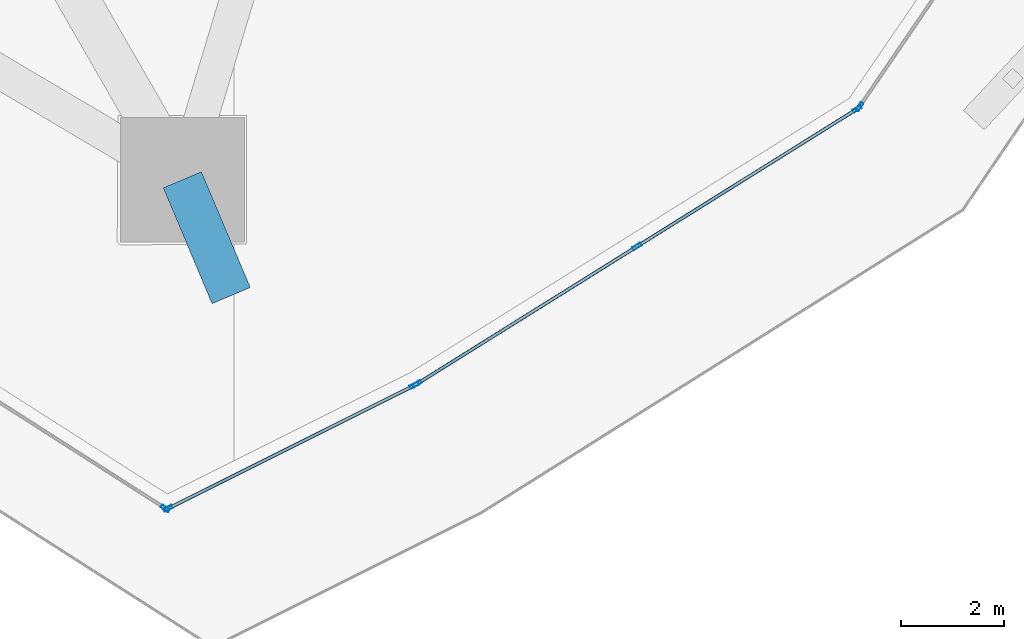
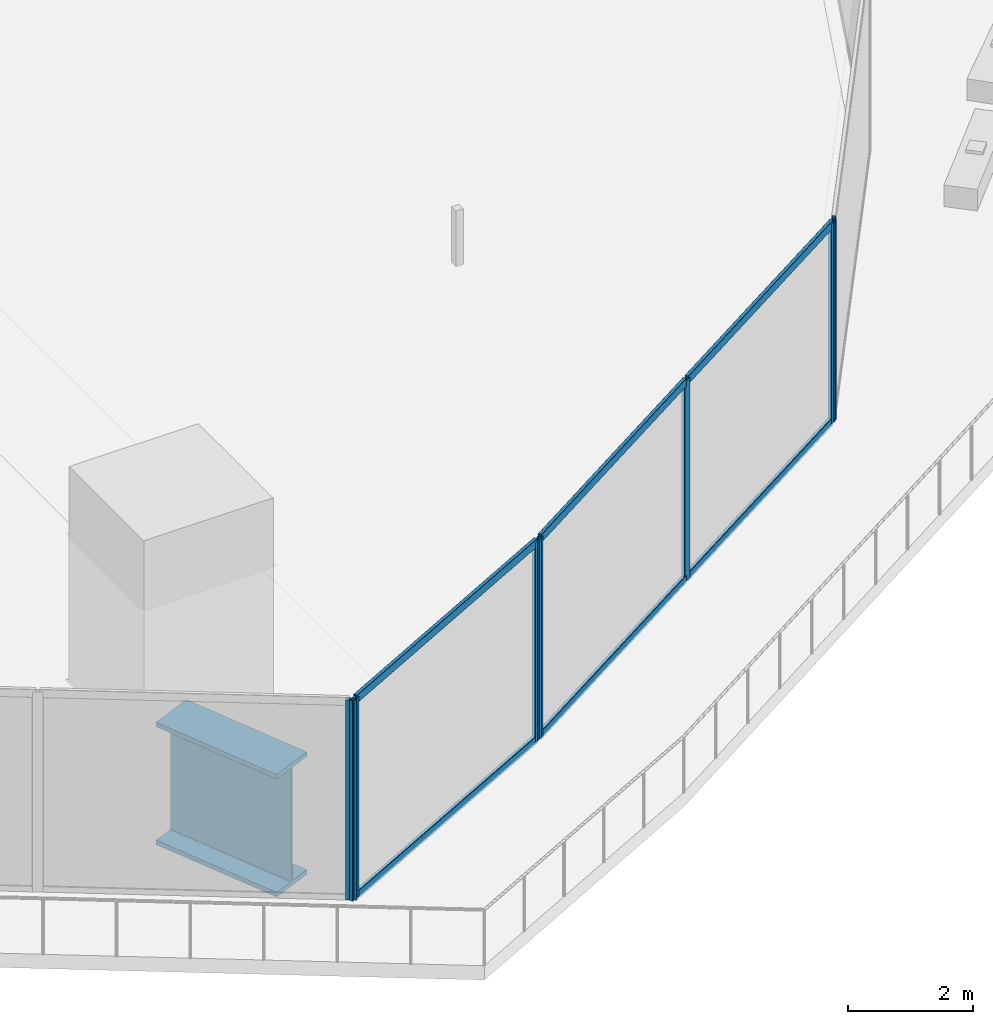
# One storey, part 10 of 42: 13 members, 1 beam, 4 elements without a shape of their own.
"""IFC4 building model written with IfcOpenShell, lengths in metres."""

from ifc_helpers import new_model, si_unit, direction, frame, origin, origin_2d, place, context, subcontext, project, spatial, hollow_rectangle, i_section, extrude, material, layer, layer_set, material_profile, profile_set, type_object, element, aggregate, save


model = new_model("IFC4")

# Units and contexts
model_context = context("Model", 3, precision=1e-05, world=origin(), true_north=direction((0.0, 1.0)))
body_context = subcontext(model_context, "Body", "Model", "MODEL_VIEW")
ifc_project = project(units=[si_unit("LENGTHUNIT", "METRE"), si_unit("AREAUNIT", "SQUARE_METRE"), si_unit("VOLUMEUNIT", "CUBIC_METRE"), si_unit("PLANEANGLEUNIT", "RADIAN"), si_unit("MASSUNIT", "GRAM", prefix="KILO")], contexts=[model_context])

# Site, building, storey
site_placement = place(None, origin())
site = spatial("IfcSite", under=ifc_project, at=site_placement, CompositionType="ELEMENT")
building_placement = place(site_placement, origin())
building = spatial("IfcBuilding", under=site, at=building_placement, Name="Qorvath Tower", CompositionType="ELEMENT")
storey_placement = place(building_placement, frame((0.0, 0.0, 32.39990234375)))
storey = spatial("IfcBuildingStorey", under=building, at=storey_placement, Name="L06", CompositionType="ELEMENT", Elevation=32.39990234375)

# Beam
ifc_material_1 = material(Name="Steel ASTM A572 Grade 50", Category="steel")
ifc_material_profile_1 = material_profile(ifc_material_1, i_section(OverallWidth=0.800048828125, OverallDepth=2.39990234375, WebThickness=0.044921875, FlangeThickness=0.090087890625, FilletRadius=0.02490234375, at=origin_2d()), Name="WTG 2400x800")
ifc_profile_set_1 = profile_set([ifc_material_profile_1], Name="Steel ASTM A572 Grade 50")
beam_type = type_object("IfcBeamType", Name="BM-TG2", PredefinedType="BEAM", material=ifc_profile_set_1)
beam_placement = place(storey_placement, frame((-13.52001953125, -29.568115234375, -1.479736328125), z_axis=(-0.38886585428, 0.921294386923, 0.0), x_axis=(-0.921294386923, -0.38886585428, 0.0)))
element("IfcBeam", 1, at=beam_placement, inside=storey, type_object=beam_type, Name="Zone Step Transfer Tie MC3 L06", PredefinedType="BEAM", context=body_context, shape_type="SweptSolid", body=[
    extrude(i_section(OverallWidth=0.800048828125, OverallDepth=2.39990234375, WebThickness=0.044921875, FlangeThickness=0.090087890625, FilletRadius=0.02490234375, at=origin_2d()), origin(), (0.0, 0.0, 1.0), 2.428466796875),
])

# Curtain wall, member
ifc_material_2 = material(Name="Anodised aluminium and triple low-E glass", Category="aluminium")
ifc_layer = layer(ifc_material_2, 0.179931640625)
ifc_layer_set = layer_set([ifc_layer], Name="CW-SYS-2")
curtain_wall_type = type_object("IfcCurtainWallType", Name="CW-SYS-2", PredefinedType="NOTDEFINED", material=ifc_layer_set)
curtain_wall_1_placement = place(storey_placement, origin())
curtain_wall_1 = element("IfcCurtainWall", 2, at=curtain_wall_1_placement, inside=storey, type_object=curtain_wall_type, Name="Curtain Wall CW-2 CW-T-L06-2.2", PredefinedType="NOTDEFINED")
ifc_material_3 = material(Name="Anodised aluminium 6063-T6", Category="aluminium")
ifc_material_profile_2 = material_profile(ifc_material_3, hollow_rectangle(XDim=0.06494140625, YDim=0.179931640625, WallThickness=0.00341796875, InnerFilletRadius=0.00341796875, OuterFilletRadius=0.007080078125, at=origin_2d()), Name="CWM 180x65")
ifc_profile_set_2 = profile_set([ifc_material_profile_2], Name="Anodised aluminium 6063-T6")
member_type_1 = type_object("IfcMemberType", Name="CWM-180", PredefinedType="MULLION", material=ifc_profile_set_2)
member_1_placement = place(storey_placement, frame((-14.79443359375, -33.68115234375, 0.0), z_axis=(0.0, 0.0, 1.0), x_axis=(0.538532593363, 0.842604679483, 0.0)))
member_1 = element("IfcMember", 3, at=member_1_placement, type_object=member_type_1, Name="CW-2 mullion 7", PredefinedType="MULLION", context=body_context, shape_type="SweptSolid", body=[
    extrude(hollow_rectangle(XDim=0.06494140625, YDim=0.179931640625, WallThickness=0.00341796875, InnerFilletRadius=0.00341796875, OuterFilletRadius=0.007080078125, at=origin_2d()), origin(), (0.0, 0.0, 1.0), 3.920166015625),
])
aggregate(curtain_wall_1, [member_1])

# Curtain wall, members
curtain_wall_2_placement = place(storey_placement, origin())
curtain_wall_2 = element("IfcCurtainWall", 4, at=curtain_wall_2_placement, inside=storey, type_object=curtain_wall_type, Name="Curtain Wall CW-2 CW-T-L06-3.1", PredefinedType="NOTDEFINED")
member_2_placement = place(storey_placement, frame((-14.738037109375, -33.68408203125, 0.0), z_axis=(0.0, 0.0, 1.0), x_axis=(-0.447198732162, 0.894434622514, 0.0)))
member_2 = element("IfcMember", 5, at=member_2_placement, type_object=member_type_1, Name="CW-2 mullion 1", PredefinedType="MULLION", context=body_context, shape_type="SweptSolid", body=[
    extrude(hollow_rectangle(XDim=0.06494140625, YDim=0.179931640625, WallThickness=0.00341796875, InnerFilletRadius=0.00341796875, OuterFilletRadius=0.007080078125, at=origin_2d()), origin(), (0.0, 0.0, 1.0), 3.920166015625),
])
member_3_placement = place(storey_placement, frame((-9.98193359375, -31.30615234375, 0.0), z_axis=(0.0, 0.0, 1.0), x_axis=(-0.447198732162, 0.894434622514, 0.0)))
member_3 = element("IfcMember", 6, at=member_3_placement, type_object=member_type_1, Name="CW-2 mullion 2", PredefinedType="MULLION", context=body_context, shape_type="SweptSolid", body=[
    extrude(hollow_rectangle(XDim=0.06494140625, YDim=0.179931640625, WallThickness=0.00341796875, InnerFilletRadius=0.00341796875, OuterFilletRadius=0.007080078125, at=origin_2d()), origin(), (0.0, 0.0, 1.0), 3.920166015625),
])

curtain_wall_3_placement = place(storey_placement, origin())
curtain_wall_3 = element("IfcCurtainWall", 7, at=curtain_wall_3_placement, inside=storey, type_object=curtain_wall_type, Name="Curtain Wall CW-2 CW-T-L06-4.1", PredefinedType="NOTDEFINED")
member_4_placement = place(storey_placement, frame((-9.92529296875, -31.2744140625, 0.0), z_axis=(0.0, 0.0, 1.0), x_axis=(-0.529769187701, 0.848141855919, 0.0)))
member_4 = element("IfcMember", 8, at=member_4_placement, type_object=member_type_1, Name="CW-2 mullion 1", PredefinedType="MULLION", context=body_context, shape_type="SweptSolid", body=[
    extrude(hollow_rectangle(XDim=0.06494140625, YDim=0.179931640625, WallThickness=0.00341796875, InnerFilletRadius=0.00341796875, OuterFilletRadius=0.007080078125, at=origin_2d()), origin(), (0.0, 0.0, 1.0), 3.920166015625),
])
member_5_placement = place(storey_placement, frame((-5.672119140625, -28.61767578125, 0.0), z_axis=(0.0, 0.0, 1.0), x_axis=(-0.529769187701, 0.848141855919, 0.0)))
member_5 = element("IfcMember", 9, at=member_5_placement, type_object=member_type_1, Name="CW-2 mullion 2", PredefinedType="MULLION", context=body_context, shape_type="SweptSolid", body=[
    extrude(hollow_rectangle(XDim=0.06494140625, YDim=0.179931640625, WallThickness=0.00341796875, InnerFilletRadius=0.00341796875, OuterFilletRadius=0.007080078125, at=origin_2d()), origin(), (0.0, 0.0, 1.0), 3.920166015625),
])
member_6_placement = place(storey_placement, frame((-1.418701171875, -25.9609375, 0.0), z_axis=(0.0, 0.0, 1.0), x_axis=(-0.529769187701, 0.848141855919, 0.0)))
member_6 = element("IfcMember", 10, at=member_6_placement, type_object=member_type_1, Name="CW-2 mullion 3", PredefinedType="MULLION", context=body_context, shape_type="SweptSolid", body=[
    extrude(hollow_rectangle(XDim=0.06494140625, YDim=0.179931640625, WallThickness=0.00341796875, InnerFilletRadius=0.00341796875, OuterFilletRadius=0.007080078125, at=origin_2d()), origin(), (0.0, 0.0, 1.0), 3.920166015625),
])

# Curtain wall, member
curtain_wall_4_placement = place(storey_placement, origin())
curtain_wall_4 = element("IfcCurtainWall", 11, at=curtain_wall_4_placement, inside=storey, type_object=curtain_wall_type, Name="Curtain Wall CW-2 CW-T-L06-5.1", PredefinedType="NOTDEFINED")
member_7_placement = place(storey_placement, frame((-1.372802734375, -25.9169921875, 0.0), z_axis=(0.0, 0.0, 1.0), x_axis=(-0.825864059494, 0.563869271406, 0.0)))
member_7 = element("IfcMember", 12, at=member_7_placement, type_object=member_type_1, Name="CW-2 mullion 1", PredefinedType="MULLION", context=body_context, shape_type="SweptSolid", body=[
    extrude(hollow_rectangle(XDim=0.06494140625, YDim=0.179931640625, WallThickness=0.00341796875, InnerFilletRadius=0.00341796875, OuterFilletRadius=0.007080078125, at=origin_2d()), origin(), (0.0, 0.0, 1.0), 3.920166015625),
])
aggregate(curtain_wall_4, [member_7])

# Member
ifc_material_4 = material(Name="Anodised aluminium 6063-T6", Category="aluminium")
ifc_material_profile_3 = material_profile(ifc_material_4, hollow_rectangle(XDim=0.06494140625, YDim=0.159912109375, WallThickness=0.00341796875, InnerFilletRadius=0.00341796875, OuterFilletRadius=0.007080078125, at=origin_2d()), Name="CWT 160x65")
ifc_profile_set_3 = profile_set([ifc_material_profile_3], Name="Anodised aluminium 6063-T6")
member_type_2 = type_object("IfcMemberType", Name="CWT-160", PredefinedType="USERDEFINED", material=ifc_profile_set_3)
member_8_placement = place(storey_placement, frame((-14.708984375, -33.669677734375, 0.032470703125), z_axis=(0.894436487034, 0.447195002949, 0.0), x_axis=(-0.447195002949, 0.894436487034, 0.0)))
member_8 = element("IfcMember", 13, at=member_8_placement, type_object=member_type_2, Name="CW-2 transom 1.1", ObjectType="TRANSOM", PredefinedType="USERDEFINED", context=body_context, shape_type="SweptSolid", body=[
    extrude(hollow_rectangle(XDim=0.06494140625, YDim=0.159912109375, WallThickness=0.00341796875, InnerFilletRadius=0.00341796875, OuterFilletRadius=0.007080078125, at=origin_2d()), origin(), (0.0, 0.0, 1.0), 5.25244140625),
])

member_9_placement = place(storey_placement, frame((-14.708984375, -33.669677734375, 3.8876953125), z_axis=(0.894436487034, 0.447195002949, 0.0), x_axis=(-0.447195002949, 0.894436487034, 0.0)))
member_9 = element("IfcMember", 14, at=member_9_placement, type_object=member_type_2, Name="CW-2 transom 1.2", ObjectType="TRANSOM", PredefinedType="USERDEFINED", context=body_context, shape_type="SweptSolid", body=[
    extrude(hollow_rectangle(XDim=0.06494140625, YDim=0.159912109375, WallThickness=0.00341796875, InnerFilletRadius=0.00341796875, OuterFilletRadius=0.007080078125, at=origin_2d()), origin(), (0.0, 0.0, 1.0), 5.25244140625),
])

aggregate(curtain_wall_2, [member_2, member_3, member_8, member_9])

member_10_placement = place(storey_placement, frame((-9.897705078125, -31.25732421875, 0.032470703125), z_axis=(0.848142359621, 0.529768381292, 0.0), x_axis=(-0.529768381292, 0.848142359621, 0.0)))
member_10 = element("IfcMember", 15, at=member_10_placement, type_object=member_type_2, Name="CW-2 transom 1.1", ObjectType="TRANSOM", PredefinedType="USERDEFINED", context=body_context, shape_type="SweptSolid", body=[
    extrude(hollow_rectangle(XDim=0.06494140625, YDim=0.159912109375, WallThickness=0.00341796875, InnerFilletRadius=0.00341796875, OuterFilletRadius=0.007080078125, at=origin_2d()), origin(), (0.0, 0.0, 1.0), 4.949951171875),
])

member_11_placement = place(storey_placement, frame((-9.897705078125, -31.25732421875, 3.8876953125), z_axis=(0.848142359621, 0.529768381292, 0.0), x_axis=(-0.529768381292, 0.848142359621, 0.0)))
member_11 = element("IfcMember", 16, at=member_11_placement, type_object=member_type_2, Name="CW-2 transom 1.2", ObjectType="TRANSOM", PredefinedType="USERDEFINED", context=body_context, shape_type="SweptSolid", body=[
    extrude(hollow_rectangle(XDim=0.06494140625, YDim=0.159912109375, WallThickness=0.00341796875, InnerFilletRadius=0.00341796875, OuterFilletRadius=0.007080078125, at=origin_2d()), origin(), (0.0, 0.0, 1.0), 4.949951171875),
])

member_12_placement = place(storey_placement, frame((-5.64453125, -28.6005859375, 0.032470703125), z_axis=(0.848142359621, 0.529768381292, 0.0), x_axis=(-0.529768381292, 0.848142359621, 0.0)))
member_12 = element("IfcMember", 17, at=member_12_placement, type_object=member_type_2, Name="CW-2 transom 2.1", ObjectType="TRANSOM", PredefinedType="USERDEFINED", context=body_context, shape_type="SweptSolid", body=[
    extrude(hollow_rectangle(XDim=0.06494140625, YDim=0.159912109375, WallThickness=0.00341796875, InnerFilletRadius=0.00341796875, OuterFilletRadius=0.007080078125, at=origin_2d()), origin(), (0.0, 0.0, 1.0), 4.949951171875),
])

member_13_placement = place(storey_placement, frame((-5.64453125, -28.6005859375, 3.8876953125), z_axis=(0.848142359621, 0.529768381292, 0.0), x_axis=(-0.529768381292, 0.848142359621, 0.0)))
member_13 = element("IfcMember", 18, at=member_13_placement, type_object=member_type_2, Name="CW-2 transom 2.2", ObjectType="TRANSOM", PredefinedType="USERDEFINED", context=body_context, shape_type="SweptSolid", body=[
    extrude(hollow_rectangle(XDim=0.06494140625, YDim=0.159912109375, WallThickness=0.00341796875, InnerFilletRadius=0.00341796875, OuterFilletRadius=0.007080078125, at=origin_2d()), origin(), (0.0, 0.0, 1.0), 4.949951171875),
])

aggregate(curtain_wall_3, [member_4, member_5, member_6, member_10, member_11, member_12, member_13])

save(model, "model.ifc")
